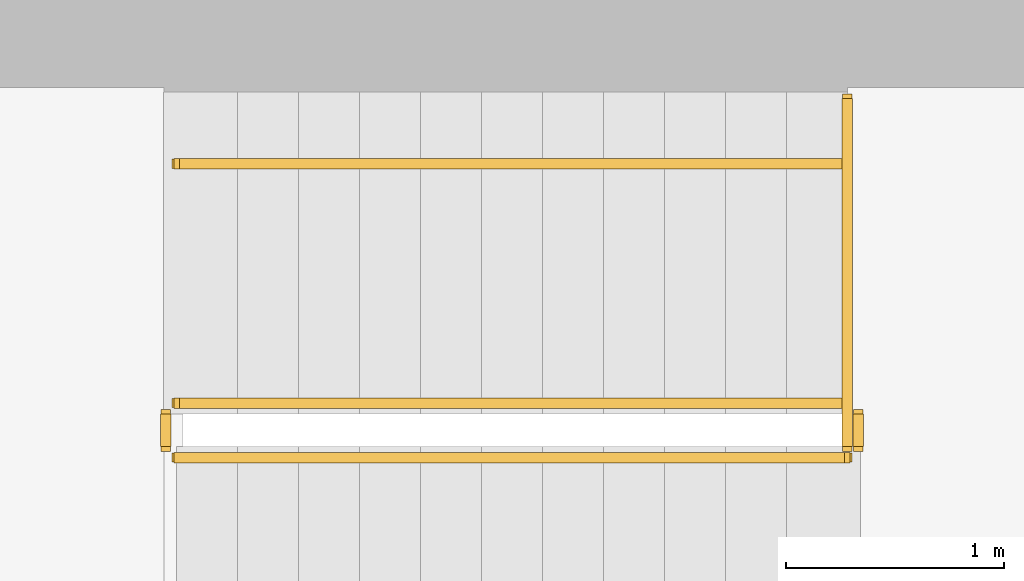
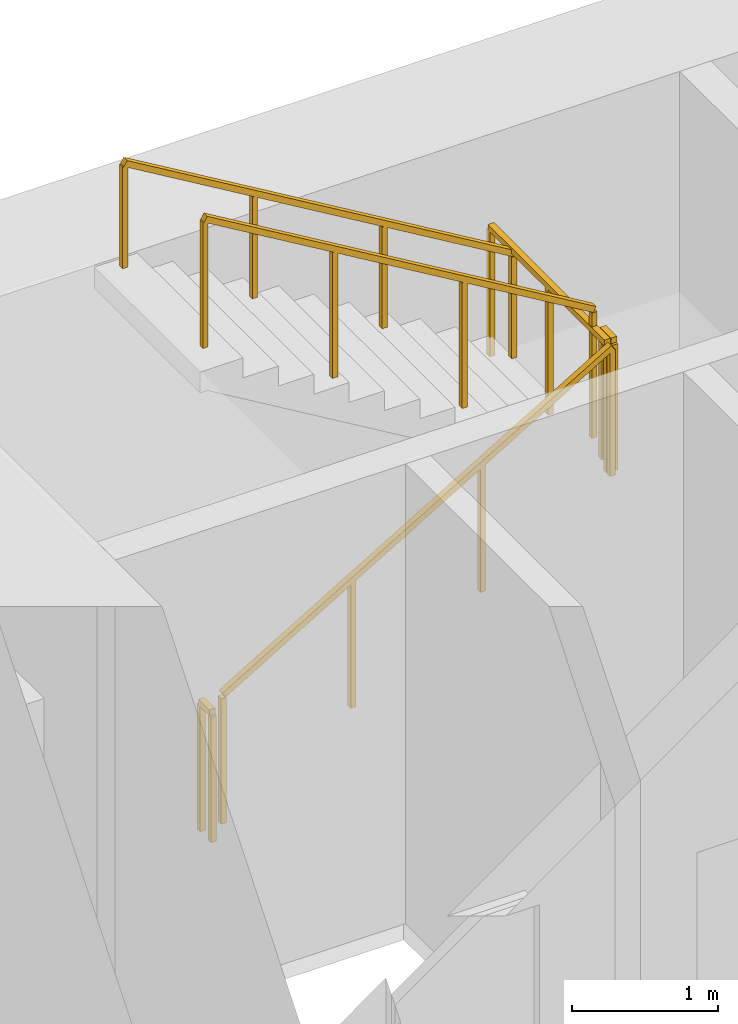
# One storey, part 15 of 16: 6 railings.
"""IFC4 building model written with IfcOpenShell, lengths in metres."""

from ifc_helpers import new_model, si_unit, direction, frame, origin, origin_2d, place, context, subcontext, project, spatial, rectangle, extrude, material, type_object, element, save


model = new_model("IFC4")

# Units and contexts
model_context = context("Model", 3, precision=1e-05, world=origin(), true_north=direction((0.0, 1.0)))
body_context = subcontext(model_context, "Body", "Model", "MODEL_VIEW")
ifc_project = project(units=[si_unit("LENGTHUNIT", "METRE"), si_unit("AREAUNIT", "SQUARE_METRE"), si_unit("VOLUMEUNIT", "CUBIC_METRE"), si_unit("PLANEANGLEUNIT", "RADIAN"), si_unit("MASSUNIT", "GRAM", prefix="KILO")], contexts=[model_context])

# Site, building, storey
site_placement = place(None, origin())
site = spatial("IfcSite", under=ifc_project, at=site_placement, CompositionType="ELEMENT")
building_placement = place(site_placement, origin())
building = spatial("IfcBuilding", under=site, at=building_placement, Name="Sennacour Bend Tower", CompositionType="ELEMENT")
storey_placement = place(building_placement, frame((0.0, 0.0, 231.0)))
storey = spatial("IfcBuildingStorey", under=building, at=storey_placement, Name="L53", CompositionType="ELEMENT", Elevation=231.0)

# Railings
ifc_material = material(Name="Stainless steel", Category="steel")
railing_type_1 = type_object("IfcRailingType", Name="RL-GUARD-1100", PredefinedType="GUARDRAIL", material=ifc_material)
railing_1_placement = place(storey_placement, frame((56.699951171875, 19.85009765625, 0.166748046875)))
element("IfcRailing", 1, at=railing_1_placement, inside=storey, type_object=railing_type_1, Name="L53 SA2 stair guard 1", PredefinedType="GUARDRAIL", context=body_context, shape_type="SweptSolid", body=[
    extrude(rectangle(XDim=0.048095703125, YDim=0.048095703125, at=origin_2d()), frame((0.0, 0.0, 1.076171875), z_axis=(0.859308565015, 0.0, 0.511457515432), x_axis=(0.0, 1.0, 0.0)), (0.0, 0.0, 1.0), 3.58447265625),
    extrude(rectangle(XDim=0.0419921875, YDim=0.0419921875, at=origin_2d()), origin(), (0.0, 0.0, 1.0), 1.052001953125),
    extrude(rectangle(XDim=0.0419921875, YDim=0.0419921875, at=origin_2d()), frame((1.026611328125, 0.0, 0.611083984375)), (0.0, 0.0, 1.0), 1.052001953125),
    extrude(rectangle(XDim=0.0419921875, YDim=0.0419921875, at=origin_2d()), frame((2.053466796875, 0.0, 1.22216796875)), (0.0, 0.0, 1.0), 1.052001953125),
    extrude(rectangle(XDim=0.0419921875, YDim=0.0419921875, at=origin_2d()), frame((3.080078125, 0.0, 1.833251953125)), (0.0, 0.0, 1.0), 1.052001953125),
])
railing_2_placement = place(storey_placement, frame((59.830078125, 19.89990234375, 2.0)))
element("IfcRailing", 2, at=railing_2_placement, inside=storey, type_object=railing_type_1, Name="L53 SA2 stair guard 2", PredefinedType="GUARDRAIL", context=body_context, shape_type="SweptSolid", body=[
    extrude(rectangle(XDim=0.048095703125, YDim=0.048095703125, at=origin_2d()), frame((0.0, 0.0, 1.076171875), z_axis=(0.0, 1.0, 0.0), x_axis=(-1.0, 0.0, 0.0)), (0.0, 0.0, 1.0), 0.150146484375),
    extrude(rectangle(XDim=0.0419921875, YDim=0.0419921875, at=origin_2d()), origin(), (0.0, 0.0, 1.0), 1.052001953125),
    extrude(rectangle(XDim=0.0419921875, YDim=0.0419921875, at=origin_2d()), frame((0.0, 0.150146484375, 0.0)), (0.0, 0.0, 1.0), 1.052001953125),
])
railing_3_placement = place(storey_placement, frame((59.780029296875, 20.10009765625, 2.166748046875)))
element("IfcRailing", 3, at=railing_3_placement, inside=storey, type_object=railing_type_1, Name="L53 SA2 stair guard 4", PredefinedType="GUARDRAIL", context=body_context, shape_type="SweptSolid", body=[
    extrude(rectangle(XDim=0.048095703125, YDim=0.048095703125, at=origin_2d()), frame((0.0, 0.0, 1.076171875), z_axis=(-0.859308565015, 0.0, 0.511457515432), x_axis=(0.0, -1.0, 0.0)), (0.0, 0.0, 1.0), 3.58447265625),
    extrude(rectangle(XDim=0.0419921875, YDim=0.0419921875, at=origin_2d()), origin(), (0.0, 0.0, 1.0), 1.052001953125),
    extrude(rectangle(XDim=0.0419921875, YDim=0.0419921875, at=origin_2d()), frame((-1.026611328125, 0.0, 0.611083984375)), (0.0, 0.0, 1.0), 1.052001953125),
    extrude(rectangle(XDim=0.0419921875, YDim=0.0419921875, at=origin_2d()), frame((-2.053466796875, 0.0, 1.22216796875)), (0.0, 0.0, 1.0), 1.052001953125),
    extrude(rectangle(XDim=0.0419921875, YDim=0.0419921875, at=origin_2d()), frame((-3.080078125, 0.0, 1.833251953125)), (0.0, 0.0, 1.0), 1.052001953125),
])
railing_4_placement = place(storey_placement, frame((56.64990234375, 19.89990234375, 0.0)))
element("IfcRailing", 4, at=railing_4_placement, inside=storey, type_object=railing_type_1, Name="L53 SA2 stair guard 5", PredefinedType="GUARDRAIL", context=body_context, shape_type="SweptSolid", body=[
    extrude(rectangle(XDim=0.048095703125, YDim=0.048095703125, at=origin_2d()), frame((0.0, 0.0, 1.076171875), z_axis=(0.0, 1.0, 0.0), x_axis=(-1.0, 0.0, 0.0)), (0.0, 0.0, 1.0), 0.150146484375),
    extrude(rectangle(XDim=0.0419921875, YDim=0.0419921875, at=origin_2d()), origin(), (0.0, 0.0, 1.0), 1.052001953125),
    extrude(rectangle(XDim=0.0419921875, YDim=0.0419921875, at=origin_2d()), frame((0.0, 0.150146484375, 0.0)), (0.0, 0.0, 1.0), 1.052001953125),
])
railing_5_placement = place(storey_placement, frame((59.780029296875, 19.89990234375, 2.0)))
element("IfcRailing", 5, at=railing_5_placement, inside=storey, type_object=railing_type_1, Name="L53 SA2 landing edge guard 70", PredefinedType="GUARDRAIL", context=body_context, shape_type="SweptSolid", body=[
    extrude(rectangle(XDim=0.048095703125, YDim=0.048095703125, at=origin_2d()), frame((0.0, 0.0, 1.076171875), z_axis=(0.0, 1.0, 0.0), x_axis=(-1.0, 0.0, 0.0)), (0.0, 0.0, 1.0), 1.60009765625),
    extrude(rectangle(XDim=0.0419921875, YDim=0.0419921875, at=origin_2d()), origin(), (0.0, 0.0, 1.0), 1.052001953125),
    extrude(rectangle(XDim=0.0419921875, YDim=0.0419921875, at=origin_2d()), frame((0.0, 0.800048828125, 0.0)), (0.0, 0.0, 1.0), 1.052001953125),
    extrude(rectangle(XDim=0.0419921875, YDim=0.0419921875, at=origin_2d()), frame((0.0, 1.60009765625, 0.0)), (0.0, 0.0, 1.0), 1.052001953125),
])
railing_type_2 = type_object("IfcRailingType", Name="RL-HANDRAIL-900", PredefinedType="HANDRAIL", material=ifc_material)
railing_6_placement = place(storey_placement, frame((59.780029296875, 21.199951171875, 2.166748046875)))
element("IfcRailing", 6, at=railing_6_placement, inside=storey, type_object=railing_type_2, Name="L53 SA2 stair handrail 2", PredefinedType="HANDRAIL", context=body_context, shape_type="SweptSolid", body=[
    extrude(rectangle(XDim=0.048095703125, YDim=0.048095703125, at=origin_2d()), frame((0.0, 0.0, 0.8759765625), z_axis=(-0.859308565015, 0.0, 0.511457515432), x_axis=(0.0, -1.0, 0.0)), (0.0, 0.0, 1.0), 3.58447265625),
    extrude(rectangle(XDim=0.0419921875, YDim=0.0419921875, at=origin_2d()), origin(), (0.0, 0.0, 1.0), 0.851806640625),
    extrude(rectangle(XDim=0.0419921875, YDim=0.0419921875, at=origin_2d()), frame((-1.026611328125, 0.0, 0.611083984375)), (0.0, 0.0, 1.0), 0.851806640625),
    extrude(rectangle(XDim=0.0419921875, YDim=0.0419921875, at=origin_2d()), frame((-2.053466796875, 0.0, 1.22216796875)), (0.0, 0.0, 1.0), 0.851806640625),
    extrude(rectangle(XDim=0.0419921875, YDim=0.0419921875, at=origin_2d()), frame((-3.080078125, 0.0, 1.833251953125)), (0.0, 0.0, 1.0), 0.851806640625),
])

save(model, "model.ifc")
